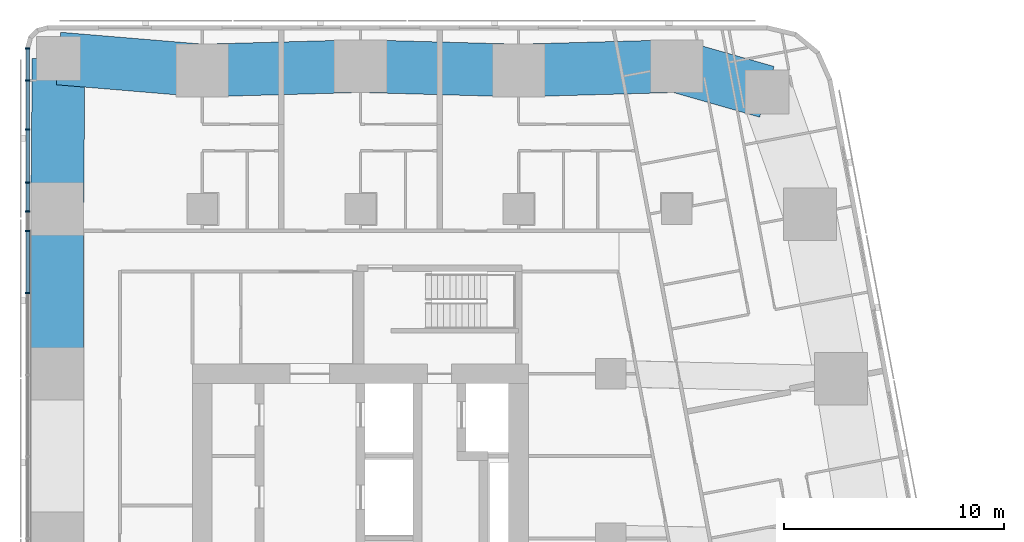
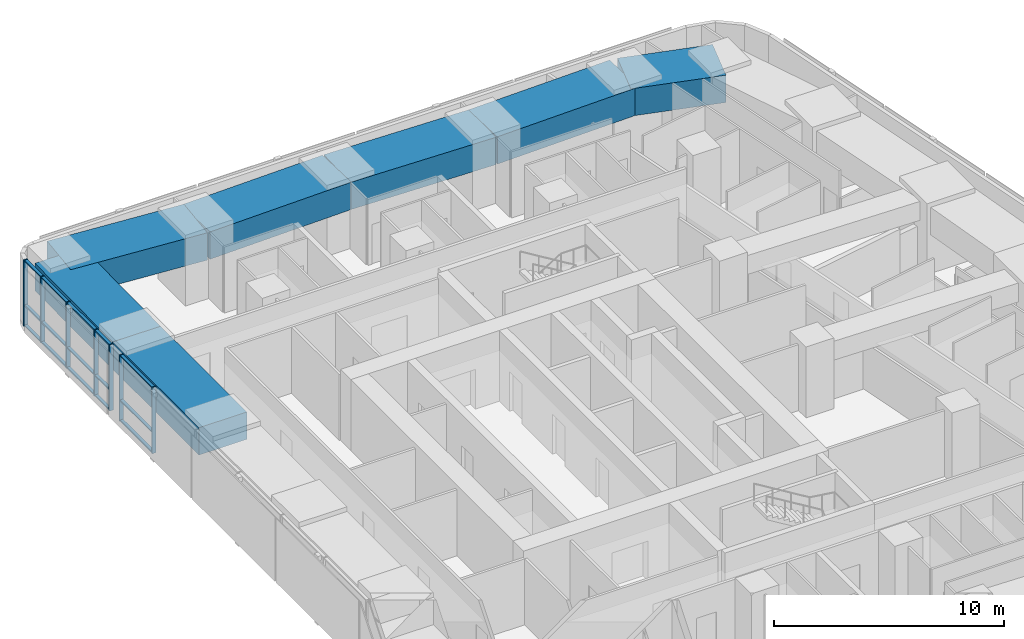
# One storey, part 5 of 17: 22 members, 7 beams, 1 element without a shape of its own.
"""IFC4 building model written with IfcOpenShell, lengths in metres."""

from ifc_helpers import new_model, si_unit, direction, frame, origin, origin_2d, place, context, subcontext, project, spatial, rectangle, extrude, material, material_profile, profile_set, type_object, element, aggregate, save


model = new_model("IFC4")

# Units and contexts
model_context = context("Model", 3, precision=1e-05, world=origin(), true_north=direction((0.0, 1.0)))
body_context = subcontext(model_context, "Body", "Model", "MODEL_VIEW")
ifc_project = project(units=[si_unit("LENGTHUNIT", "METRE"), si_unit("AREAUNIT", "SQUARE_METRE"), si_unit("VOLUMEUNIT", "CUBIC_METRE"), si_unit("PLANEANGLEUNIT", "RADIAN"), si_unit("MASSUNIT", "GRAM", prefix="KILO")], contexts=[model_context])

# Site, building, storey
site_placement = place(None, origin())
site = spatial("IfcSite", under=ifc_project, at=site_placement, CompositionType="ELEMENT")
building_placement = place(site_placement, origin())
building = spatial("IfcBuilding", under=site, at=building_placement, Name="Sheger Commons Tower", CompositionType="ELEMENT")
storey_placement = place(building_placement, frame((0.0, 0.0, 212.449951171875)))
storey = spatial("IfcBuildingStorey", under=building, at=storey_placement, Name="L54", CompositionType="ELEMENT", Elevation=212.449951171875)

# Curtain wall, members
ifc_material_1 = material(Name="Black aluminium curtain wall, dark tinted glazing", Category="aluminium")
curtain_wall_type = type_object("IfcCurtainWallType", Name="CURTAIN WALL CW4 GALLERY", PredefinedType="USERDEFINED", material=ifc_material_1)
curtain_wall_placement = place(storey_placement, origin())
curtain_wall = element("IfcCurtainWall", 1, at=curtain_wall_placement, inside=storey, type_object=curtain_wall_type, Name="Curtain Wall Cw4 Gallery W1 L54", ObjectType="UNITISED CURTAIN WALL", PredefinedType="USERDEFINED")
ifc_material_2 = material(Name="Black anodised aluminium", Category="aluminium")
ifc_material_profile_1 = material_profile(ifc_material_2, rectangle(XDim=0.199951171875, YDim=0.06494140625, at=origin_2d()), Name="AL 65x200")
ifc_profile_set_1 = profile_set([ifc_material_profile_1], Name="Black anodised aluminium")
member_type_1 = type_object("IfcMemberType", Name="MULLION AL 65x200", PredefinedType="MULLION", material=ifc_profile_set_1)
member_1_placement = place(storey_placement, frame((6.449951171875, 44.804443359375, 0.0), z_axis=(0.0, 0.0, 1.0), x_axis=(1.0, 0.0, 0.0)))
member_1 = element("IfcMember", 2, at=member_1_placement, type_object=member_type_1, Name="CW4 mullion 1", PredefinedType="MULLION", context=body_context, shape_type="SweptSolid", body=[
    extrude(rectangle(XDim=0.199951171875, YDim=0.06494140625, at=origin_2d()), origin(), (0.0, 0.0, 1.0), 3.5),
])
member_2_placement = place(storey_placement, frame((6.449951171875, 43.345947265625, 0.0), z_axis=(0.0, 0.0, 1.0), x_axis=(1.0, 0.0, 0.0)))
member_2 = element("IfcMember", 3, at=member_2_placement, type_object=member_type_1, Name="CW4 mullion 2", PredefinedType="MULLION", context=body_context, shape_type="SweptSolid", body=[
    extrude(rectangle(XDim=0.199951171875, YDim=0.06494140625, at=origin_2d()), origin(), (0.0, 0.0, 1.0), 3.5),
])
member_3_placement = place(storey_placement, frame((6.449951171875, 41.114013671875, 0.0), z_axis=(0.0, 0.0, 1.0), x_axis=(1.0, 0.0, 0.0)))
member_3 = element("IfcMember", 4, at=member_3_placement, type_object=member_type_1, Name="CW4 mullion 3", PredefinedType="MULLION", context=body_context, shape_type="SweptSolid", body=[
    extrude(rectangle(XDim=0.199951171875, YDim=0.06494140625, at=origin_2d()), origin(), (0.0, 0.0, 1.0), 3.5),
])
member_4_placement = place(storey_placement, frame((6.449951171875, 38.699951171875, 0.0), z_axis=(0.0, 0.0, 1.0), x_axis=(1.0, 0.0, 0.0)))
member_4 = element("IfcMember", 5, at=member_4_placement, type_object=member_type_1, Name="CW4 mullion 4", PredefinedType="MULLION", context=body_context, shape_type="SweptSolid", body=[
    extrude(rectangle(XDim=0.199951171875, YDim=0.06494140625, at=origin_2d()), origin(), (0.0, 0.0, 1.0), 3.5),
])
member_5_placement = place(storey_placement, frame((6.449951171875, 37.39111328125, 0.0), z_axis=(0.0, 0.0, 1.0), x_axis=(1.0, 0.0, 0.0)))
member_5 = element("IfcMember", 6, at=member_5_placement, type_object=member_type_1, Name="CW4 mullion 5", PredefinedType="MULLION", context=body_context, shape_type="SweptSolid", body=[
    extrude(rectangle(XDim=0.199951171875, YDim=0.06494140625, at=origin_2d()), origin(), (0.0, 0.0, 1.0), 3.5),
])
member_6_placement = place(storey_placement, frame((6.449951171875, 36.5, 0.0), z_axis=(0.0, 0.0, 1.0), x_axis=(1.0, 0.0, 0.0)))
member_6 = element("IfcMember", 7, at=member_6_placement, type_object=member_type_1, Name="CW4 mullion 6", PredefinedType="MULLION", context=body_context, shape_type="SweptSolid", body=[
    extrude(rectangle(XDim=0.199951171875, YDim=0.06494140625, at=origin_2d()), origin(), (0.0, 0.0, 1.0), 3.5),
])
member_7_placement = place(storey_placement, frame((6.449951171875, 33.66796875, 0.0), z_axis=(0.0, 0.0, 1.0), x_axis=(1.0, 0.0, 0.0)))
member_7 = element("IfcMember", 8, at=member_7_placement, type_object=member_type_1, Name="CW4 mullion 7", PredefinedType="MULLION", context=body_context, shape_type="SweptSolid", body=[
    extrude(rectangle(XDim=0.199951171875, YDim=0.06494140625, at=origin_2d()), origin(), (0.0, 0.0, 1.0), 3.5),
])

# Beams
ifc_material_3 = material(Name="Concrete C50/60", Category="concrete")
ifc_material_profile_2 = material_profile(ifc_material_3, rectangle(XDim=2.39990234375, YDim=1.449951171875, at=origin_2d()), Name="RC 2400x1450")
ifc_profile_set_2 = profile_set([ifc_material_profile_2], Name="Concrete C50/60")
beam_type = type_object("IfcBeamType", Name="SPANDREL RC 2400x1450", PredefinedType="SPANDREL", material=ifc_profile_set_2)
beam_1_placement = place(storey_placement, frame((40.10205078125, 42.830078125, 2.775146484375), z_axis=(-0.961653428129, 0.274267541221, 0.0), x_axis=(-0.274267541221, -0.961653428129, 0.0)))
element("IfcBeam", 9, at=beam_1_placement, inside=storey, type_object=beam_type, Name="Beam 41.490,44.505-6/G under L55", PredefinedType="SPANDREL", context=body_context, shape_type="SweptSolid", body=[
    extrude(rectangle(XDim=2.39990234375, YDim=1.449951171875, at=origin_2d()), origin(), (0.0, 0.0, 1.0), 4.265625),
])
for number, where, z_axis, x_axis, name in (
    (10, (36.0, 44.0, 2.775146484375), (-0.999614603568, -0.027760481514, 0.0), (0.027760481514, -0.999614603568, 0.0), "Beam 6/G-5/G under L55"),
    (11, (28.800048828125, 43.800048828125, 2.775146484375), (-0.999614603568, 0.027760481514, 0.0), (-0.027760481514, -0.999614603568, 0.0), "Beam 5/G-4/G under L55"),
):
    element("IfcBeam", number, at=place(storey_placement, frame(where, z_axis=z_axis, x_axis=x_axis)), inside=storey, type_object=beam_type, Name=name, PredefinedType="SPANDREL", context=body_context, shape_type="SweptSolid", body=[
        extrude(rectangle(XDim=2.39990234375, YDim=1.449951171875, at=origin_2d()), origin(), (0.0, 0.0, 1.0), 7.20263671875),
    ])
beam_2_placement = place(storey_placement, frame((21.60009765625, 44.0, 2.775146484375), z_axis=(-0.999614629688, -0.027759540951, 0.0), x_axis=(0.027759540951, -0.999614629688, 0.0)))
element("IfcBeam", 12, at=beam_2_placement, inside=storey, type_object=beam_type, Name="Beam 4/G-3/G under L55", PredefinedType="SPANDREL", context=body_context, shape_type="SweptSolid", body=[
    extrude(rectangle(XDim=2.39990234375, YDim=1.449951171875, at=origin_2d()), origin(), (0.0, 0.0, 1.0), 7.202880859375),
])
beam_3_placement = place(storey_placement, frame((14.39990234375, 43.800048828125, 2.775146484375), z_axis=(-0.996540629765, 0.083106998663, 0.0), x_axis=(-0.083106998663, -0.996540629765, 0.0)))
element("IfcBeam", 13, at=beam_3_placement, inside=storey, type_object=beam_type, Name="Beam 3/G-2/G under L55", PredefinedType="SPANDREL", context=body_context, shape_type="SweptSolid", body=[
    extrude(rectangle(XDim=2.39990234375, YDim=1.449951171875, at=origin_2d()), origin(), (0.0, 0.0, 1.0), 6.568603515625),
])
beam_4_placement = place(storey_placement, frame((7.85400390625, 44.345947265625, 2.775146484375), z_axis=(-0.00788107188, -0.999968943871, 0.0), x_axis=(0.999968943871, -0.00788107188, 0.0)))
element("IfcBeam", 14, at=beam_4_placement, inside=storey, type_object=beam_type, Name="Beam 2/G-2/F under L55", PredefinedType="SPANDREL", context=body_context, shape_type="SweptSolid", body=[
    extrude(rectangle(XDim=2.39990234375, YDim=1.449951171875, at=origin_2d()), origin(), (0.0, 0.0, 1.0), 6.84619140625),
])
beam_5_placement = place(storey_placement, frame((7.800048828125, 37.5, 2.775146484375), z_axis=(0.0, -1.0, 0.0), x_axis=(1.0, 0.0, 0.0)))
element("IfcBeam", 15, at=beam_5_placement, inside=storey, type_object=beam_type, Name="Beam 2/F-2/E under L55", PredefinedType="SPANDREL", context=body_context, shape_type="SweptSolid", body=[
    extrude(rectangle(XDim=2.39990234375, YDim=1.449951171875, at=origin_2d()), origin(), (0.0, 0.0, 1.0), 7.5),
])

# Member
ifc_material_4 = material(Name="Black anodised aluminium", Category="aluminium")
ifc_material_profile_3 = material_profile(ifc_material_4, rectangle(XDim=0.14990234375, YDim=0.06494140625, at=origin_2d()), Name="AL 65x150")
ifc_profile_set_3 = profile_set([ifc_material_profile_3], Name="Black anodised aluminium")
member_type_2 = type_object("IfcMemberType", Name="TRANSOM AL 65x150", PredefinedType="USERDEFINED", material=ifc_profile_set_3)
member_8_placement = place(storey_placement, frame((6.449951171875, 44.77197265625, 0.032470703125), z_axis=(0.0, -1.0, 0.0), x_axis=(1.0, 0.0, 0.0)))
member_8 = element("IfcMember", 16, at=member_8_placement, type_object=member_type_2, Name="CW4 transom 1.1", ObjectType="TRANSOM", PredefinedType="USERDEFINED", context=body_context, shape_type="SweptSolid", body=[
    extrude(rectangle(XDim=0.14990234375, YDim=0.06494140625, at=origin_2d()), origin(), (0.0, 0.0, 1.0), 1.3935546875),
])

member_9_placement = place(storey_placement, frame((6.449951171875, 44.77197265625, 1.10009765625), z_axis=(0.0, -1.0, 0.0), x_axis=(1.0, 0.0, 0.0)))
member_9 = element("IfcMember", 17, at=member_9_placement, type_object=member_type_2, Name="CW4 transom 1.2", ObjectType="TRANSOM", PredefinedType="USERDEFINED", context=body_context, shape_type="SweptSolid", body=[
    extrude(rectangle(XDim=0.14990234375, YDim=0.06494140625, at=origin_2d()), origin(), (0.0, 0.0, 1.0), 1.3935546875),
])

member_10_placement = place(storey_placement, frame((6.449951171875, 44.77197265625, 3.467529296875), z_axis=(0.0, -1.0, 0.0), x_axis=(1.0, 0.0, 0.0)))
member_10 = element("IfcMember", 18, at=member_10_placement, type_object=member_type_2, Name="CW4 transom 1.3", ObjectType="TRANSOM", PredefinedType="USERDEFINED", context=body_context, shape_type="SweptSolid", body=[
    extrude(rectangle(XDim=0.14990234375, YDim=0.06494140625, at=origin_2d()), origin(), (0.0, 0.0, 1.0), 1.3935546875),
])

member_11_placement = place(storey_placement, frame((6.449951171875, 43.3134765625, 0.032470703125), z_axis=(0.0, -1.0, 0.0), x_axis=(1.0, 0.0, 0.0)))
member_11 = element("IfcMember", 19, at=member_11_placement, type_object=member_type_2, Name="CW4 transom 2.1", ObjectType="TRANSOM", PredefinedType="USERDEFINED", context=body_context, shape_type="SweptSolid", body=[
    extrude(rectangle(XDim=0.14990234375, YDim=0.06494140625, at=origin_2d()), origin(), (0.0, 0.0, 1.0), 2.1669921875),
])

member_12_placement = place(storey_placement, frame((6.449951171875, 43.3134765625, 1.10009765625), z_axis=(0.0, -1.0, 0.0), x_axis=(1.0, 0.0, 0.0)))
member_12 = element("IfcMember", 20, at=member_12_placement, type_object=member_type_2, Name="CW4 transom 2.2", ObjectType="TRANSOM", PredefinedType="USERDEFINED", context=body_context, shape_type="SweptSolid", body=[
    extrude(rectangle(XDim=0.14990234375, YDim=0.06494140625, at=origin_2d()), origin(), (0.0, 0.0, 1.0), 2.1669921875),
])

member_13_placement = place(storey_placement, frame((6.449951171875, 43.3134765625, 3.467529296875), z_axis=(0.0, -1.0, 0.0), x_axis=(1.0, 0.0, 0.0)))
member_13 = element("IfcMember", 21, at=member_13_placement, type_object=member_type_2, Name="CW4 transom 2.3", ObjectType="TRANSOM", PredefinedType="USERDEFINED", context=body_context, shape_type="SweptSolid", body=[
    extrude(rectangle(XDim=0.14990234375, YDim=0.06494140625, at=origin_2d()), origin(), (0.0, 0.0, 1.0), 2.1669921875),
])

member_14_placement = place(storey_placement, frame((6.449951171875, 41.08154296875, 0.032470703125), z_axis=(0.0, -1.0, 0.0), x_axis=(1.0, 0.0, 0.0)))
member_14 = element("IfcMember", 22, at=member_14_placement, type_object=member_type_2, Name="CW4 transom 3.1", ObjectType="TRANSOM", PredefinedType="USERDEFINED", context=body_context, shape_type="SweptSolid", body=[
    extrude(rectangle(XDim=0.14990234375, YDim=0.06494140625, at=origin_2d()), origin(), (0.0, 0.0, 1.0), 2.34912109375),
])

member_15_placement = place(storey_placement, frame((6.449951171875, 41.08154296875, 1.10009765625), z_axis=(0.0, -1.0, 0.0), x_axis=(1.0, 0.0, 0.0)))
member_15 = element("IfcMember", 23, at=member_15_placement, type_object=member_type_2, Name="CW4 transom 3.2", ObjectType="TRANSOM", PredefinedType="USERDEFINED", context=body_context, shape_type="SweptSolid", body=[
    extrude(rectangle(XDim=0.14990234375, YDim=0.06494140625, at=origin_2d()), origin(), (0.0, 0.0, 1.0), 2.34912109375),
])

member_16_placement = place(storey_placement, frame((6.449951171875, 41.08154296875, 3.467529296875), z_axis=(0.0, -1.0, 0.0), x_axis=(1.0, 0.0, 0.0)))
member_16 = element("IfcMember", 24, at=member_16_placement, type_object=member_type_2, Name="CW4 transom 3.3", ObjectType="TRANSOM", PredefinedType="USERDEFINED", context=body_context, shape_type="SweptSolid", body=[
    extrude(rectangle(XDim=0.14990234375, YDim=0.06494140625, at=origin_2d()), origin(), (0.0, 0.0, 1.0), 2.34912109375),
])

member_17_placement = place(storey_placement, frame((6.449951171875, 38.66748046875, 0.032470703125), z_axis=(0.0, -1.0, 0.0), x_axis=(1.0, 0.0, 0.0)))
member_17 = element("IfcMember", 25, at=member_17_placement, type_object=member_type_2, Name="CW4 transom 4.1", ObjectType="TRANSOM", PredefinedType="USERDEFINED", context=body_context, shape_type="SweptSolid", body=[
    extrude(rectangle(XDim=0.14990234375, YDim=0.06494140625, at=origin_2d()), origin(), (0.0, 0.0, 1.0), 1.243896484375),
])

member_18_placement = place(storey_placement, frame((6.449951171875, 38.66748046875, 1.10009765625), z_axis=(0.0, -1.0, 0.0), x_axis=(1.0, 0.0, 0.0)))
member_18 = element("IfcMember", 26, at=member_18_placement, type_object=member_type_2, Name="CW4 transom 4.2", ObjectType="TRANSOM", PredefinedType="USERDEFINED", context=body_context, shape_type="SweptSolid", body=[
    extrude(rectangle(XDim=0.14990234375, YDim=0.06494140625, at=origin_2d()), origin(), (0.0, 0.0, 1.0), 1.243896484375),
])

member_19_placement = place(storey_placement, frame((6.449951171875, 38.66748046875, 3.467529296875), z_axis=(0.0, -1.0, 0.0), x_axis=(1.0, 0.0, 0.0)))
member_19 = element("IfcMember", 27, at=member_19_placement, type_object=member_type_2, Name="CW4 transom 4.3", ObjectType="TRANSOM", PredefinedType="USERDEFINED", context=body_context, shape_type="SweptSolid", body=[
    extrude(rectangle(XDim=0.14990234375, YDim=0.06494140625, at=origin_2d()), origin(), (0.0, 0.0, 1.0), 1.243896484375),
])

member_20_placement = place(storey_placement, frame((6.449951171875, 36.467529296875, 0.032470703125), z_axis=(0.0, -1.0, 0.0), x_axis=(1.0, 0.0, 0.0)))
member_20 = element("IfcMember", 28, at=member_20_placement, type_object=member_type_2, Name="CW4 transom 6.1", ObjectType="TRANSOM", PredefinedType="USERDEFINED", context=body_context, shape_type="SweptSolid", body=[
    extrude(rectangle(XDim=0.14990234375, YDim=0.06494140625, at=origin_2d()), origin(), (0.0, 0.0, 1.0), 2.76708984375),
])

member_21_placement = place(storey_placement, frame((6.449951171875, 36.467529296875, 1.10009765625), z_axis=(0.0, -1.0, 0.0), x_axis=(1.0, 0.0, 0.0)))
member_21 = element("IfcMember", 29, at=member_21_placement, type_object=member_type_2, Name="CW4 transom 6.2", ObjectType="TRANSOM", PredefinedType="USERDEFINED", context=body_context, shape_type="SweptSolid", body=[
    extrude(rectangle(XDim=0.14990234375, YDim=0.06494140625, at=origin_2d()), origin(), (0.0, 0.0, 1.0), 2.76708984375),
])

member_22_placement = place(storey_placement, frame((6.449951171875, 36.467529296875, 3.467529296875), z_axis=(0.0, -1.0, 0.0), x_axis=(1.0, 0.0, 0.0)))
member_22 = element("IfcMember", 30, at=member_22_placement, type_object=member_type_2, Name="CW4 transom 6.3", ObjectType="TRANSOM", PredefinedType="USERDEFINED", context=body_context, shape_type="SweptSolid", body=[
    extrude(rectangle(XDim=0.14990234375, YDim=0.06494140625, at=origin_2d()), origin(), (0.0, 0.0, 1.0), 2.76708984375),
])

aggregate(curtain_wall, [member_1, member_2, member_3, member_4, member_5, member_6, member_7, member_8, member_9, member_10, member_11, member_12, member_13, member_14, member_15, member_16, member_17, member_18, member_19, member_20, member_21, member_22])

save(model, "model.ifc")
